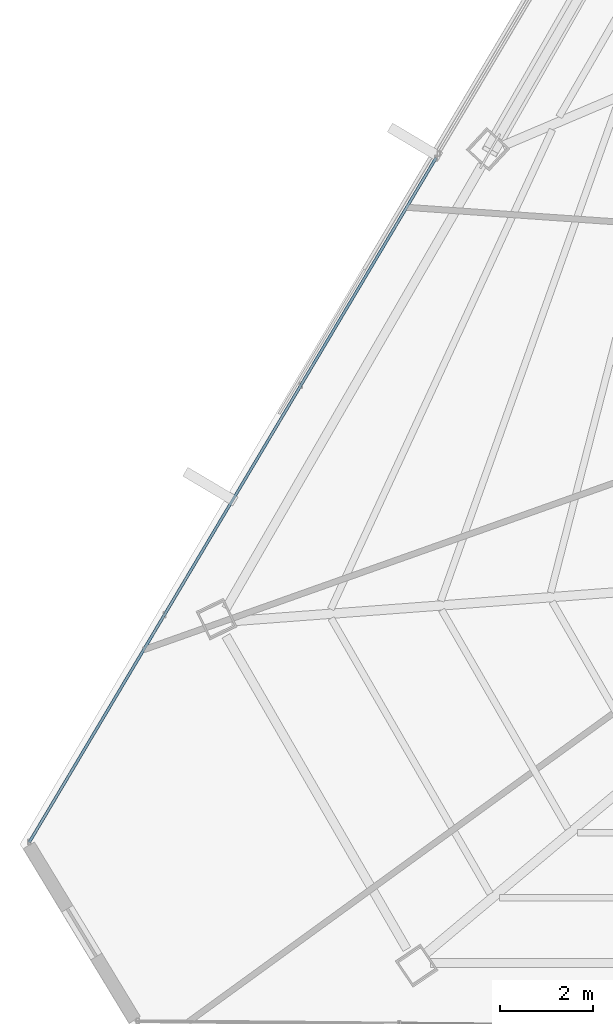
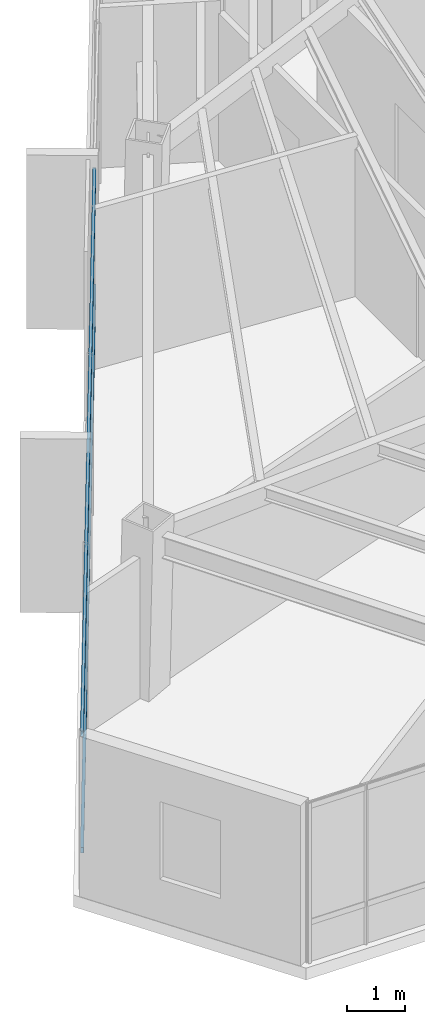
# One storey, part 8 of 46: 2 members, 1 element without a shape of its own.
"""IFC4 building model written with IfcOpenShell, lengths in metres."""

from ifc_helpers import new_model, si_unit, direction, frame, origin, origin_2d, place, context, subcontext, project, spatial, hollow_rectangle, extrude, source, transform, mapped, material, material_profile, profile_set, type_object, type_shapes, element, aggregate, save


model = new_model("IFC4")

# Units and contexts
model_context = context("Model", 3, precision=1e-05, world=origin(), true_north=direction((0.0, 1.0)))
body_context = subcontext(model_context, "Body", "Model", "MODEL_VIEW")
ifc_project = project(units=[si_unit("LENGTHUNIT", "METRE"), si_unit("AREAUNIT", "SQUARE_METRE"), si_unit("VOLUMEUNIT", "CUBIC_METRE"), si_unit("PLANEANGLEUNIT", "RADIAN"), si_unit("MASSUNIT", "GRAM", prefix="KILO")], contexts=[model_context])

# Site, building, storey
site_placement = place(None, origin())
site = spatial("IfcSite", under=ifc_project, at=site_placement, CompositionType="ELEMENT")
building_placement = place(site_placement, origin())
building = spatial("IfcBuilding", under=site, at=building_placement, Name="Caelisora Broadcast Tower", CompositionType="ELEMENT")
storey_placement = place(building_placement, frame((0.0, 0.0, 237.14990234375)))
storey = spatial("IfcBuildingStorey", under=building, at=storey_placement, Name="L62", CompositionType="ELEMENT", Elevation=237.14990234375)

# Curtain wall, members
ifc_material_1 = material(Name="Unitised Aluminium and Low-E Glass Curtain Wall", Category="glass")
curtain_wall_type = type_object("IfcCurtainWallType", Name="CW-Z5", PredefinedType="NOTDEFINED", material=ifc_material_1)
curtain_wall_placement = place(storey_placement, origin())
curtain_wall = element("IfcCurtainWall", 1, at=curtain_wall_placement, inside=storey, type_object=curtain_wall_type, Name="L62 curtain wall CW-Z5", PredefinedType="NOTDEFINED")
ifc_material_2 = material(Name="Aluminium 6063-T6 Anodised Terracotta Bronze", Category="aluminium")
ifc_material_profile = material_profile(ifc_material_2, hollow_rectangle(XDim=0.06005859375, YDim=0.1201171875, WallThickness=0.0029296875, at=origin_2d()), Name="Aluminium 6063-T6 Anodised Terracotta Bronze")
ifc_profile_set = profile_set([ifc_material_profile], Name="Aluminium 6063-T6 Anodised Terracotta Bronze")
member_type = type_object("IfcMemberType", Name="CWT-03", PredefinedType="USERDEFINED", material=ifc_profile_set)
shared_shape = source(origin(), body_context, "Body", "SweptSolid", [
    extrude(hollow_rectangle(XDim=0.06005859375, YDim=0.1201171875, WallThickness=0.0029296875, at=origin_2d()), origin(), (0.0, 0.0, 1.0), 17.07861328125),
])
type_shapes(member_type, [shared_shape])
member_1_placement = place(storey_placement, frame((12.2275390625, 11.612060546875, 0.85009765625), z_axis=(0.510934379371, 0.859619718234, 0.0), x_axis=(-0.859619718234, 0.510934379371, 0.0)))
member_1 = element("IfcMember", 2, at=member_1_placement, type_object=member_type, Name="L62-CW-B09 transom #1", ObjectType="TRANSOM", PredefinedType="USERDEFINED", context=body_context, shape_type="MappedRepresentation", body=[
    mapped(shared_shape, transform((0.0, 0.0, 0.0), scale=1.0)),
])
member_2_placement = place(storey_placement, frame((12.2275390625, 11.612060546875, 3.320068359375), z_axis=(0.510934379371, 0.859619718234, 0.0), x_axis=(-0.859619718234, 0.510934379371, 0.0)))
member_2 = element("IfcMember", 3, at=member_2_placement, type_object=member_type, Name="L62-CW-B09 transom #2", ObjectType="TRANSOM", PredefinedType="USERDEFINED", context=body_context, shape_type="MappedRepresentation", body=[
    mapped(shared_shape, transform((0.0, 0.0, 0.0), scale=1.0)),
])
aggregate(curtain_wall, [member_1, member_2])

save(model, "model.ifc")
